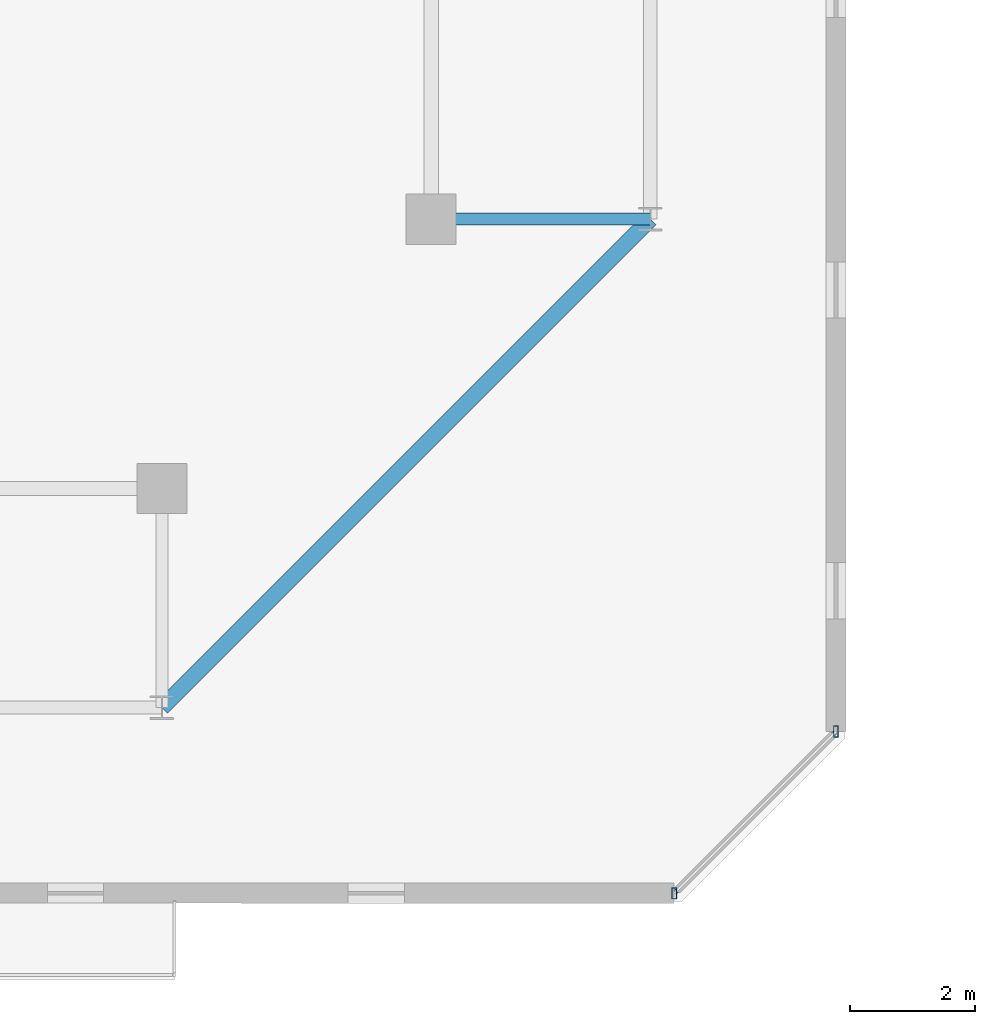
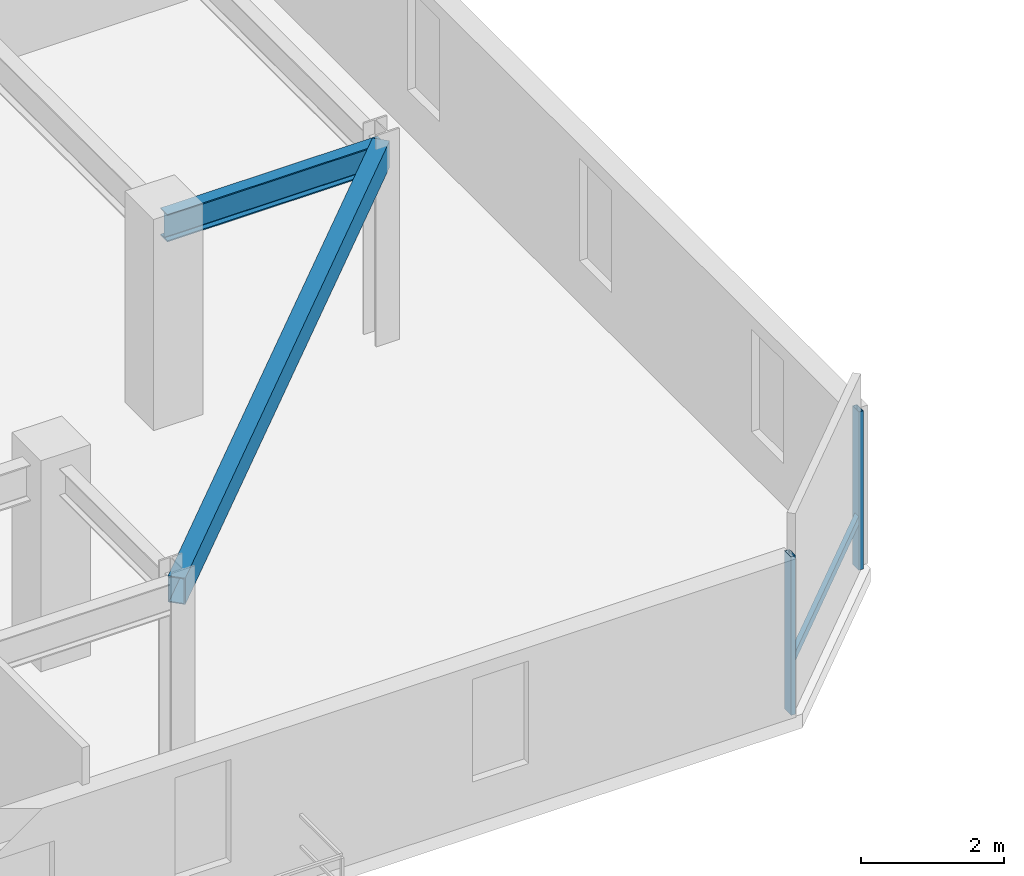
# One storey, part 7 of 35: 3 members, 2 beams, 1 element without a shape of its own.
"""IFC4 building model written with IfcOpenShell, lengths in metres."""

from ifc_helpers import new_model, si_unit, direction, frame, origin, origin_2d, place, context, subcontext, project, spatial, hollow_rectangle, i_section, extrude, material, material_profile, profile_set, type_object, element, aggregate, save


model = new_model("IFC4")

# Units and contexts
model_context = context("Model", 3, precision=1e-05, world=origin(), true_north=direction((0.0, 1.0)))
body_context = subcontext(model_context, "Body", "Model", "MODEL_VIEW")
ifc_project = project(units=[si_unit("LENGTHUNIT", "METRE"), si_unit("AREAUNIT", "SQUARE_METRE"), si_unit("VOLUMEUNIT", "CUBIC_METRE"), si_unit("PLANEANGLEUNIT", "RADIAN"), si_unit("MASSUNIT", "GRAM", prefix="KILO")], contexts=[model_context])

# Site, building, storey
site_placement = place(None, origin())
site = spatial("IfcSite", under=ifc_project, at=site_placement, CompositionType="ELEMENT")
building_placement = place(site_placement, origin())
building = spatial("IfcBuilding", under=site, at=building_placement, Name="Thornwick Lancets Civic Towers", CompositionType="ELEMENT")
storey_placement = place(building_placement, frame((0.0, 0.0, 269.10009765625)))
storey = spatial("IfcBuildingStorey", under=building, at=storey_placement, Name="L72", CompositionType="ELEMENT", Elevation=269.10009765625)

# Beams
ifc_material_1 = material(Name="Steel S355JR", Category="steel")
ifc_material_profile_1 = material_profile(ifc_material_1, i_section(OverallWidth=0.19287109375, OverallDepth=0.46728515625, WebThickness=0.011474609375, FlangeThickness=0.01953125, FilletRadius=0.01025390625, at=origin_2d()), Name="UKB 457x191x98")
ifc_profile_set_1 = profile_set([ifc_material_profile_1], Name="Steel S355JR")
beam_type_1 = type_object("IfcBeamType", Name="BM_JOIST_457_98", PredefinedType="JOIST", material=ifc_profile_set_1)
beam_1_placement = place(storey_placement, frame((42.800048828125, 14.0, 3.126220703125), z_axis=(1.0, 0.0, 0.0), x_axis=(0.0, 1.0, 0.0)))
element("IfcBeam", 1, at=beam_1_placement, inside=storey, type_object=beam_type_1, Name="BM-RAD-L72-A04", PredefinedType="JOIST", context=body_context, shape_type="SweptSolid", body=[
    extrude(i_section(OverallWidth=0.19287109375, OverallDepth=0.46728515625, WebThickness=0.011474609375, FlangeThickness=0.01953125, FilletRadius=0.01025390625, at=origin_2d()), origin(), (0.0, 0.0, 1.0), 3.5),
])
ifc_material_profile_2 = material_profile(ifc_material_1, hollow_rectangle(XDim=0.25, YDim=0.449951171875, WallThickness=0.01611328125, at=origin_2d()), Name="RHS 450x250x16")
ifc_profile_set_2 = profile_set([ifc_material_profile_2], Name="Steel S355JR")
beam_type_2 = type_object("IfcBeamType", Name="BM_RING_RHS450", PredefinedType="BEAM", material=ifc_profile_set_2)
beam_2_placement = place(storey_placement, frame((38.5, 6.199951171875, 3.135009765625), z_axis=(0.707106781187, 0.707106781187, 0.0), x_axis=(-0.707106781187, 0.707106781187, 0.0)))
element("IfcBeam", 2, at=beam_2_placement, inside=storey, type_object=beam_type_2, Name="BM-CHAMF-L72-A-C0", PredefinedType="BEAM", context=body_context, shape_type="SweptSolid", body=[
    extrude(hollow_rectangle(XDim=0.25, YDim=0.449951171875, WallThickness=0.01611328125, at=origin_2d()), origin(), (0.0, 0.0, 1.0), 11.031005859375),
])

# Curtain wall, members
ifc_material_2 = material(Name="High-zone chamfered-corner unitised glass curtain wall", Category="glass")
curtain_wall_type = type_object("IfcCurtainWallType", Name="CW_SYS_05", PredefinedType="NOTDEFINED", material=ifc_material_2)
curtain_wall_placement = place(storey_placement, origin())
curtain_wall = element("IfcCurtainWall", 3, at=curtain_wall_placement, inside=storey, type_object=curtain_wall_type, Name="L72 Curtain Wall CW-L72-A-E1", PredefinedType="NOTDEFINED")
ifc_material_3 = material(Name="Thermally broken bronze aluminium S355", Category="steel")
ifc_material_profile_3 = material_profile(ifc_material_3, hollow_rectangle(XDim=0.074951171875, YDim=0.179931640625, WallThickness=0.006103515625, at=origin_2d()), Name="RHS 180x75x6")
ifc_profile_set_3 = profile_set([ifc_material_profile_3], Name="Thermally broken bronze aluminium S355")
member_type_1 = type_object("IfcMemberType", Name="CW_MUL_180", PredefinedType="MULLION", material=ifc_profile_set_3)
member_1_placement = place(storey_placement, frame((46.681396484375, 3.2353515625, 0.0), z_axis=(0.0, 0.0, 1.0), x_axis=(1.0, 0.0, 0.0)))
member_1 = element("IfcMember", 4, at=member_1_placement, type_object=member_type_1, Name="CW-L72-A-E1 Mullion 0", PredefinedType="MULLION", context=body_context, shape_type="SweptSolid", body=[
    extrude(hollow_rectangle(XDim=0.074951171875, YDim=0.179931640625, WallThickness=0.006103515625, at=origin_2d()), origin(), (0.0, 0.0, 1.0), 2.699951171875),
])
member_2_placement = place(storey_placement, frame((49.2646484375, 5.818603515625, 0.0), z_axis=(0.0, 0.0, 1.0), x_axis=(1.0, 0.0, 0.0)))
member_2 = element("IfcMember", 5, at=member_2_placement, type_object=member_type_1, Name="CW-L72-A-E1 Mullion 1", PredefinedType="MULLION", context=body_context, shape_type="SweptSolid", body=[
    extrude(hollow_rectangle(XDim=0.074951171875, YDim=0.179931640625, WallThickness=0.006103515625, at=origin_2d()), origin(), (0.0, 0.0, 1.0), 2.699951171875),
])
ifc_material_profile_4 = material_profile(ifc_material_3, hollow_rectangle(XDim=0.074951171875, YDim=0.14990234375, WallThickness=0.0048828125, at=origin_2d()), Name="RHS 150x75x5")
ifc_profile_set_4 = profile_set([ifc_material_profile_4], Name="Thermally broken bronze aluminium S355")
member_type_2 = type_object("IfcMemberType", Name="CW_TRN_150", PredefinedType="USERDEFINED", material=ifc_profile_set_4)
member_3_placement = place(storey_placement, frame((46.695556640625, 3.24951171875, 0.849853515625), z_axis=(0.707106781187, 0.707106781187, 0.0), x_axis=(-0.707106781187, 0.707106781187, 0.0)))
member_3 = element("IfcMember", 6, at=member_3_placement, type_object=member_type_2, Name="CW-L72-A-E1 Transom 0", ObjectType="TRANSOM", PredefinedType="USERDEFINED", context=body_context, shape_type="SweptSolid", body=[
    extrude(hollow_rectangle(XDim=0.074951171875, YDim=0.14990234375, WallThickness=0.0048828125, at=origin_2d()), origin(), (0.0, 0.0, 1.0), 3.61328125),
])
aggregate(curtain_wall, [member_1, member_2, member_3])

save(model, "model.ifc")
